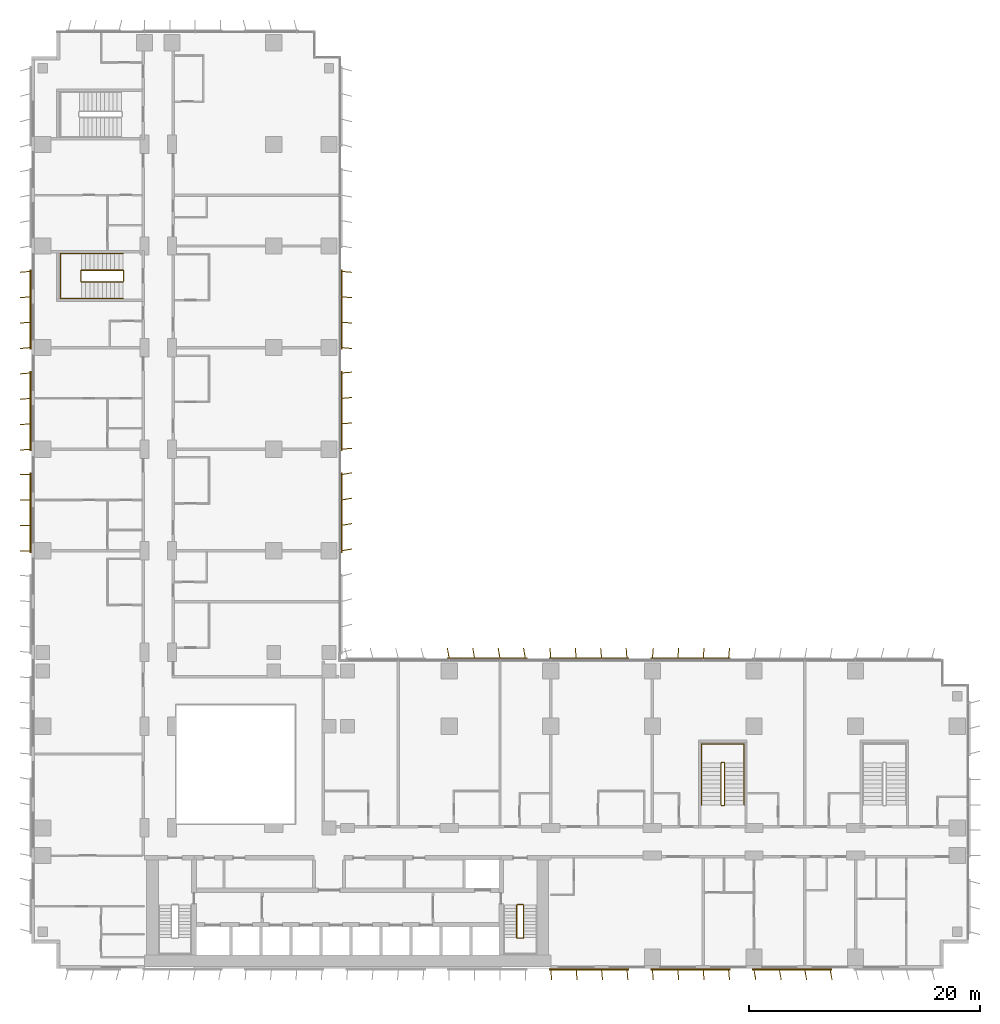
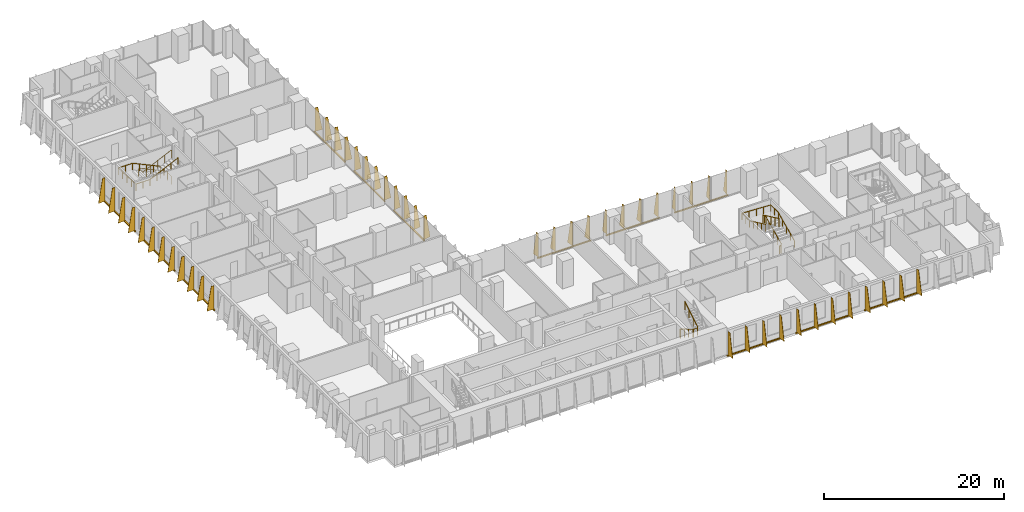
# One storey, part 22 of 24: 12 shading devices, 5 railings.
"""IFC4 building model written with IfcOpenShell, lengths in metres."""

from ifc_helpers import new_model, si_unit, direction, frame, origin, origin_2d, place, context, subcontext, project, spatial, polyline, rectangle, circle, outline, extrude, source, transform, mapped, material, layer, layer_set, type_object, element, save


model = new_model("IFC4")

# Units and contexts
model_context = context("Model", 3, precision=1e-05, world=origin(), true_north=direction((0.0, 1.0)))
body_context = subcontext(model_context, "Body", "Model", "MODEL_VIEW")
ifc_project = project(units=[si_unit("LENGTHUNIT", "METRE"), si_unit("AREAUNIT", "SQUARE_METRE"), si_unit("VOLUMEUNIT", "CUBIC_METRE"), si_unit("PLANEANGLEUNIT", "RADIAN"), si_unit("MASSUNIT", "GRAM", prefix="KILO")], contexts=[model_context])

# Site, building, storey
site_placement = place(None, origin())
site = spatial("IfcSite", under=ifc_project, at=site_placement, CompositionType="ELEMENT")
building_placement = place(site_placement, origin())
building = spatial("IfcBuilding", under=site, at=building_placement, Name="Kemantara Hotel Tower", CompositionType="ELEMENT")
storey_placement = place(building_placement, frame((0.0, 0.0, 76.0)))
storey = spatial("IfcBuildingStorey", under=building, at=storey_placement, Name="L17", CompositionType="ELEMENT", Elevation=76.0)

# Railings
ifc_material_1 = material(Name="Stainless steel balustrade", Category="steel")
railing_type_1 = type_object("IfcRailingType", Name="Stair guard 1100 mm", PredefinedType="GUARDRAIL", material=ifc_material_1)
railing_1_placement = place(storey_placement, frame((42.64990234375, 5.5, 3.699951171875)))
element("IfcRailing", 1, at=railing_1_placement, inside=storey, type_object=railing_type_1, Name="L17 ST2 stair guard 1", PredefinedType="GUARDRAIL", context=body_context, shape_type="SweptSolid", body=[
    extrude(circle(Radius=0.02392578125, at=origin_2d()), frame((0.0, 0.0, 1.076171875), z_axis=(0.0, -0.857242210791, -0.514913383045), x_axis=(1.0, 0.0, 0.0)), (0.0, 0.0, 1.0), 3.266357421875),
    extrude(circle(Radius=0.02392578125, at=origin_2d()), frame((0.0, -2.800048828125, -0.60595703125), z_axis=(-0.273343290215, -0.274683208305, -0.921863645432), x_axis=(0.708833529934, -0.705375805398, 0.0)), (0.0, 0.0, 1.0), 0.18212890625),
    extrude(circle(Radius=0.02392578125, at=origin_2d()), frame((-0.0498046875, -2.85009765625, -0.77392578125), z_axis=(-1.0, 0.0, 0.0), x_axis=(0.0, -1.0, 0.0)), (0.0, 0.0, 1.0), 0.5),
    extrude(circle(Radius=0.02392578125, at=origin_2d()), frame((-0.5498046875, -2.85009765625, -0.77392578125), z_axis=(-0.707106781187, 0.707106781187, 0.0), x_axis=(-0.707106781187, -0.707106781187, 0.0)), (0.0, 0.0, 1.0), 0.07080078125),
    extrude(circle(Radius=0.02392578125, at=origin_2d()), frame((-0.599853515625, -2.800048828125, -0.77392578125), z_axis=(0.0, 0.857242210791, -0.514913383045), x_axis=(-1.0, 0.0, 0.0)), (0.0, 0.0, 1.0), 3.266357421875),
    extrude(circle(Radius=0.02392578125, at=origin_2d()), frame((-0.599853515625, 0.0, -2.45556640625), z_axis=(0.274243871929, 0.274243871929, -0.92172696468), x_axis=(-0.707106781187, 0.707106781187, 0.0)), (0.0, 0.0, 1.0), 0.1826171875),
    extrude(circle(Radius=0.02392578125, at=origin_2d()), frame((-0.5498046875, 0.050048828125, -2.6240234375), z_axis=(1.0, 0.0, 0.0), x_axis=(0.0, 1.0, 0.0)), (0.0, 0.0, 1.0), 0.5),
    extrude(circle(Radius=0.02099609375, at=origin_2d()), origin(), (0.0, 0.0, 1.0), 1.052001953125),
    extrude(circle(Radius=0.02099609375, at=origin_2d()), frame((0.0, -0.933349609375, -0.560546875)), (0.0, 0.0, 1.0), 1.052001953125),
    extrude(circle(Radius=0.02099609375, at=origin_2d()), frame((0.0, -1.86669921875, -1.121337890625)), (0.0, 0.0, 1.0), 1.052001953125),
    extrude(circle(Radius=0.02099609375, at=origin_2d()), frame((0.0, -2.800048828125, -1.681884765625)), (0.0, 0.0, 1.0), 1.052001953125),
    extrude(circle(Radius=0.02099609375, at=origin_2d()), frame((-0.0498046875, -2.85009765625, -1.849853515625)), (0.0, 0.0, 1.0), 1.052001953125),
    extrude(circle(Radius=0.02099609375, at=origin_2d()), frame((-0.5498046875, -2.85009765625, -1.849853515625)), (0.0, 0.0, 1.0), 1.052001953125),
    extrude(circle(Radius=0.02099609375, at=origin_2d()), frame((-0.599853515625, -2.800048828125, -1.849853515625)), (0.0, 0.0, 1.0), 1.052001953125),
    extrude(circle(Radius=0.02099609375, at=origin_2d()), frame((-0.599853515625, -1.86669921875, -2.410400390625)), (0.0, 0.0, 1.0), 1.052001953125),
    extrude(circle(Radius=0.02099609375, at=origin_2d()), frame((-0.599853515625, -0.933349609375, -2.97119140625)), (0.0, 0.0, 1.0), 1.052001953125),
    extrude(circle(Radius=0.02099609375, at=origin_2d()), frame((-0.599853515625, 0.0, -3.53173828125)), (0.0, 0.0, 1.0), 1.052001953125),
    extrude(circle(Radius=0.02099609375, at=origin_2d()), frame((-0.5498046875, 0.050048828125, -3.699951171875)), (0.0, 0.0, 1.0), 1.052001953125),
    extrude(circle(Radius=0.02099609375, at=origin_2d()), frame((-0.0498046875, 0.050048828125, -3.699951171875)), (0.0, 0.0, 1.0), 1.052001953125),
])
railing_2_placement = place(storey_placement, frame((59.75, 14.199951171875, 3.699951171875)))
element("IfcRailing", 2, at=railing_2_placement, inside=storey, type_object=railing_type_1, Name="L17 ST3 stair guard 1", PredefinedType="GUARDRAIL", context=body_context, shape_type="SweptSolid", body=[
    extrude(circle(Radius=0.02392578125, at=origin_2d()), frame((0.0, 0.0, 1.076171875), z_axis=(0.0, 0.906005689286, -0.423265508849), x_axis=(-1.0, 0.0, 0.0)), (0.0, 0.0, 1.0), 3.9736328125),
    extrude(circle(Radius=0.02392578125, at=origin_2d()), frame((0.0, 3.60009765625, -0.60595703125), z_axis=(0.274582412415, 0.274582412415, -0.921525364591), x_axis=(-0.707106781187, 0.707106781187, 0.0)), (0.0, 0.0, 1.0), 0.182373046875),
    extrude(circle(Radius=0.02392578125, at=origin_2d()), frame((0.050048828125, 3.650146484375, -0.77392578125), z_axis=(1.0, 0.0, 0.0), x_axis=(0.0, 1.0, 0.0)), (0.0, 0.0, 1.0), 0.199951171875),
    extrude(circle(Radius=0.02392578125, at=origin_2d()), frame((0.25, 3.650146484375, -0.77392578125), z_axis=(0.707106781187, -0.707106781187, 0.0), x_axis=(0.707106781187, 0.707106781187, 0.0)), (0.0, 0.0, 1.0), 0.07080078125),
    extrude(circle(Radius=0.02392578125, at=origin_2d()), frame((0.300048828125, 3.60009765625, -0.77392578125), z_axis=(0.0, -0.906005689286, -0.423265508849), x_axis=(1.0, 0.0, 0.0)), (0.0, 0.0, 1.0), 3.9736328125),
    extrude(circle(Radius=0.02392578125, at=origin_2d()), frame((0.300048828125, 0.0, -2.45556640625), z_axis=(-0.274243871929, -0.274243871929, -0.92172696468), x_axis=(0.707106781187, -0.707106781187, 0.0)), (0.0, 0.0, 1.0), 0.1826171875),
    extrude(circle(Radius=0.02392578125, at=origin_2d()), frame((0.25, -0.050048828125, -2.6240234375), z_axis=(-1.0, 0.0, 0.0), x_axis=(0.0, -1.0, 0.0)), (0.0, 0.0, 1.0), 0.199951171875),
    extrude(circle(Radius=0.02099609375, at=origin_2d()), origin(), (0.0, 0.0, 1.0), 1.052001953125),
    extrude(circle(Radius=0.02099609375, at=origin_2d()), frame((0.0, 0.89990234375, -0.42041015625)), (0.0, 0.0, 1.0), 1.052001953125),
    extrude(circle(Radius=0.02099609375, at=origin_2d()), frame((0.0, 1.800048828125, -0.8408203125)), (0.0, 0.0, 1.0), 1.052001953125),
    extrude(circle(Radius=0.02099609375, at=origin_2d()), frame((0.0, 2.7001953125, -1.261474609375)), (0.0, 0.0, 1.0), 1.052001953125),
    extrude(circle(Radius=0.02099609375, at=origin_2d()), frame((0.0, 3.60009765625, -1.681884765625)), (0.0, 0.0, 1.0), 1.052001953125),
    extrude(circle(Radius=0.02099609375, at=origin_2d()), frame((0.050048828125, 3.650146484375, -1.849853515625)), (0.0, 0.0, 1.0), 1.052001953125),
    extrude(circle(Radius=0.02099609375, at=origin_2d()), frame((0.25, 3.650146484375, -1.849853515625)), (0.0, 0.0, 1.0), 1.052001953125),
    extrude(circle(Radius=0.02099609375, at=origin_2d()), frame((0.300048828125, 3.60009765625, -1.849853515625)), (0.0, 0.0, 1.0), 1.052001953125),
    extrude(circle(Radius=0.02099609375, at=origin_2d()), frame((0.300048828125, 2.7001953125, -2.270263671875)), (0.0, 0.0, 1.0), 1.052001953125),
    extrude(circle(Radius=0.02099609375, at=origin_2d()), frame((0.300048828125, 1.800048828125, -2.69091796875)), (0.0, 0.0, 1.0), 1.052001953125),
    extrude(circle(Radius=0.02099609375, at=origin_2d()), frame((0.300048828125, 0.89990234375, -3.111328125)), (0.0, 0.0, 1.0), 1.052001953125),
    extrude(circle(Radius=0.02099609375, at=origin_2d()), frame((0.300048828125, 0.0, -3.53173828125)), (0.0, 0.0, 1.0), 1.052001953125),
    extrude(circle(Radius=0.02099609375, at=origin_2d()), frame((0.25, -0.050048828125, -3.699951171875)), (0.0, 0.0, 1.0), 1.052001953125),
    extrude(circle(Radius=0.02099609375, at=origin_2d()), frame((0.050048828125, -0.050048828125, -3.699951171875)), (0.0, 0.0, 1.0), 1.052001953125),
])
railing_3_placement = place(storey_placement, frame((7.949951171875, 59.5, 3.699951171875)))
element("IfcRailing", 3, at=railing_3_placement, inside=storey, type_object=railing_type_1, Name="L17 ST4 stair guard 1", PredefinedType="GUARDRAIL", context=body_context, shape_type="SweptSolid", body=[
    extrude(circle(Radius=0.02392578125, at=origin_2d()), frame((0.0, 0.0, 1.076171875), z_axis=(-0.905994681025, 0.0, -0.423289071386), x_axis=(0.0, -1.0, 0.0)), (0.0, 0.0, 1.0), 3.973388671875),
    extrude(circle(Radius=0.02392578125, at=origin_2d()), frame((-3.599853515625, 0.0, -0.60595703125), z_axis=(-0.274582412415, 0.274582412415, -0.921525364591), x_axis=(-0.707106781187, -0.707106781187, 0.0)), (0.0, 0.0, 1.0), 0.182373046875),
    extrude(circle(Radius=0.02392578125, at=origin_2d()), frame((-3.64990234375, 0.050048828125, -0.77392578125), z_axis=(0.0, 1.0, 0.0), x_axis=(-1.0, 0.0, 0.0)), (0.0, 0.0, 1.0), 0.89990234375),
    extrude(circle(Radius=0.02392578125, at=origin_2d()), frame((-3.64990234375, 0.949951171875, -0.77392578125), z_axis=(0.707106781187, 0.707106781187, 0.0), x_axis=(-0.707106781187, 0.707106781187, 0.0)), (0.0, 0.0, 1.0), 0.07080078125),
    extrude(circle(Radius=0.02392578125, at=origin_2d()), frame((-3.599853515625, 1.0, -0.77392578125), z_axis=(0.905994681025, 0.0, -0.423289071386), x_axis=(0.0, 1.0, 0.0)), (0.0, 0.0, 1.0), 3.973388671875),
    extrude(circle(Radius=0.02392578125, at=origin_2d()), frame((0.0, 1.0, -2.45556640625), z_axis=(0.274243871929, -0.274243871929, -0.92172696468), x_axis=(0.707106781187, 0.707106781187, 0.0)), (0.0, 0.0, 1.0), 0.1826171875),
    extrude(circle(Radius=0.02392578125, at=origin_2d()), frame((0.050048828125, 0.949951171875, -2.6240234375), z_axis=(0.0, -1.0, 0.0), x_axis=(1.0, 0.0, 0.0)), (0.0, 0.0, 1.0), 0.89990234375),
    extrude(circle(Radius=0.02099609375, at=origin_2d()), origin(), (0.0, 0.0, 1.0), 1.052001953125),
    extrude(circle(Radius=0.02099609375, at=origin_2d()), frame((-0.89990234375, 0.0, -0.42041015625)), (0.0, 0.0, 1.0), 1.052001953125),
    extrude(circle(Radius=0.02099609375, at=origin_2d()), frame((-1.7998046875, 0.0, -0.8408203125)), (0.0, 0.0, 1.0), 1.052001953125),
    extrude(circle(Radius=0.02099609375, at=origin_2d()), frame((-2.699951171875, 0.0, -1.261474609375)), (0.0, 0.0, 1.0), 1.052001953125),
    extrude(circle(Radius=0.02099609375, at=origin_2d()), frame((-3.599853515625, 0.0, -1.681884765625)), (0.0, 0.0, 1.0), 1.052001953125),
    extrude(circle(Radius=0.02099609375, at=origin_2d()), frame((-3.64990234375, 0.050048828125, -1.849853515625)), (0.0, 0.0, 1.0), 1.052001953125),
    extrude(circle(Radius=0.02099609375, at=origin_2d()), frame((-3.64990234375, 0.949951171875, -1.849853515625)), (0.0, 0.0, 1.0), 1.052001953125),
    extrude(circle(Radius=0.02099609375, at=origin_2d()), frame((-3.599853515625, 1.0, -1.849853515625)), (0.0, 0.0, 1.0), 1.052001953125),
    extrude(circle(Radius=0.02099609375, at=origin_2d()), frame((-2.699951171875, 1.0, -2.270263671875)), (0.0, 0.0, 1.0), 1.052001953125),
    extrude(circle(Radius=0.02099609375, at=origin_2d()), frame((-1.7998046875, 1.0, -2.69091796875)), (0.0, 0.0, 1.0), 1.052001953125),
    extrude(circle(Radius=0.02099609375, at=origin_2d()), frame((-0.89990234375, 1.0, -3.111328125)), (0.0, 0.0, 1.0), 1.052001953125),
    extrude(circle(Radius=0.02099609375, at=origin_2d()), frame((0.0, 1.0, -3.53173828125)), (0.0, 0.0, 1.0), 1.052001953125),
    extrude(circle(Radius=0.02099609375, at=origin_2d()), frame((0.050048828125, 0.949951171875, -3.699951171875)), (0.0, 0.0, 1.0), 1.052001953125),
    extrude(circle(Radius=0.02099609375, at=origin_2d()), frame((0.050048828125, 0.050048828125, -3.699951171875)), (0.0, 0.0, 1.0), 1.052001953125),
])
railing_type_2 = type_object("IfcRailingType", Name="Stair handrail 900 mm", PredefinedType="HANDRAIL", material=ifc_material_1)
railing_4_placement = place(storey_placement, frame((61.75, 14.199951171875, 0.168212890625)))
element("IfcRailing", 4, at=railing_4_placement, inside=storey, type_object=railing_type_2, Name="L17 ST3 stair handrail 1", PredefinedType="HANDRAIL", context=body_context, shape_type="SweptSolid", body=[
    extrude(circle(Radius=0.02392578125, at=origin_2d()), frame((0.0, 0.0, 0.8759765625), z_axis=(0.0, 0.906005689286, 0.423265508849), x_axis=(-1.0, 0.0, 0.0)), (0.0, 0.0, 1.0), 3.9736328125),
    extrude(circle(Radius=0.02392578125, at=origin_2d()), frame((0.0, 3.60009765625, 2.5576171875), z_axis=(0.0, 1.0, 0.0), x_axis=(-1.0, 0.0, 0.0)), (0.0, 0.0, 1.0), 1.679931640625),
    extrude(circle(Radius=0.02392578125, at=origin_2d()), frame((0.0, 5.280029296875, 2.5576171875), z_axis=(-0.998971120908, 0.0, 0.045350849963), x_axis=(0.0, -1.0, 0.0)), (0.0, 0.0, 1.0), 3.703857421875),
    extrude(circle(Radius=0.02392578125, at=origin_2d()), frame((-3.699951171875, 5.280029296875, 2.7255859375), z_axis=(0.0, -1.0, 0.0), x_axis=(1.0, 0.0, 0.0)), (0.0, 0.0, 1.0), 1.679931640625),
    extrude(circle(Radius=0.02392578125, at=origin_2d()), frame((-3.699951171875, 3.60009765625, 2.7255859375), z_axis=(0.0, -0.906005689286, 0.423265508849), x_axis=(1.0, 0.0, 0.0)), (0.0, 0.0, 1.0), 3.9736328125),
    extrude(circle(Radius=0.02099609375, at=origin_2d()), origin(), (0.0, 0.0, 1.0), 0.851806640625),
    extrude(circle(Radius=0.02099609375, at=origin_2d()), frame((0.0, 0.89990234375, 0.42041015625)), (0.0, 0.0, 1.0), 0.851806640625),
    extrude(circle(Radius=0.02099609375, at=origin_2d()), frame((0.0, 1.800048828125, 0.8408203125)), (0.0, 0.0, 1.0), 0.851806640625),
    extrude(circle(Radius=0.02099609375, at=origin_2d()), frame((0.0, 2.7001953125, 1.261474609375)), (0.0, 0.0, 1.0), 0.851806640625),
    extrude(circle(Radius=0.02099609375, at=origin_2d()), frame((0.0, 3.60009765625, 1.681884765625)), (0.0, 0.0, 1.0), 0.851806640625),
    extrude(circle(Radius=0.02099609375, at=origin_2d()), frame((0.0, 4.43994140625, 1.681884765625)), (0.0, 0.0, 1.0), 0.851806640625),
    extrude(circle(Radius=0.02099609375, at=origin_2d()), frame((0.0, 5.280029296875, 1.681884765625)), (0.0, 0.0, 1.0), 0.851806640625),
    extrude(circle(Radius=0.02099609375, at=origin_2d()), frame((-0.925048828125, 5.280029296875, 1.723876953125)), (0.0, 0.0, 1.0), 0.851806640625),
    extrude(circle(Radius=0.02099609375, at=origin_2d()), frame((-1.85009765625, 5.280029296875, 1.765869140625)), (0.0, 0.0, 1.0), 0.851806640625),
    extrude(circle(Radius=0.02099609375, at=origin_2d()), frame((-2.77490234375, 5.280029296875, 1.807861328125)), (0.0, 0.0, 1.0), 0.851806640625),
    extrude(circle(Radius=0.02099609375, at=origin_2d()), frame((-3.699951171875, 5.280029296875, 1.849853515625)), (0.0, 0.0, 1.0), 0.851806640625),
    extrude(circle(Radius=0.02099609375, at=origin_2d()), frame((-3.699951171875, 4.43994140625, 1.849853515625)), (0.0, 0.0, 1.0), 0.851806640625),
    extrude(circle(Radius=0.02099609375, at=origin_2d()), frame((-3.699951171875, 3.60009765625, 1.849853515625)), (0.0, 0.0, 1.0), 0.851806640625),
    extrude(circle(Radius=0.02099609375, at=origin_2d()), frame((-3.699951171875, 2.7001953125, 2.270263671875)), (0.0, 0.0, 1.0), 0.851806640625),
    extrude(circle(Radius=0.02099609375, at=origin_2d()), frame((-3.699951171875, 1.800048828125, 2.69091796875)), (0.0, 0.0, 1.0), 0.851806640625),
    extrude(circle(Radius=0.02099609375, at=origin_2d()), frame((-3.699951171875, 0.89990234375, 3.111328125)), (0.0, 0.0, 1.0), 0.851806640625),
    extrude(circle(Radius=0.02099609375, at=origin_2d()), frame((-3.699951171875, 0.0, 3.53173828125)), (0.0, 0.0, 1.0), 0.851806640625),
])
railing_5_placement = place(storey_placement, frame((7.949951171875, 61.949951171875, 0.168212890625)))
element("IfcRailing", 5, at=railing_5_placement, inside=storey, type_object=railing_type_2, Name="L17 ST4 stair handrail 1", PredefinedType="HANDRAIL", context=body_context, shape_type="SweptSolid", body=[
    extrude(circle(Radius=0.02392578125, at=origin_2d()), frame((0.0, 0.0, 0.8759765625), z_axis=(-0.905994681025, 0.0, 0.423289071386), x_axis=(0.0, -1.0, 0.0)), (0.0, 0.0, 1.0), 3.973388671875),
    extrude(circle(Radius=0.02392578125, at=origin_2d()), frame((-3.599853515625, 0.0, 2.5576171875), z_axis=(-1.0, 0.0, 0.0), x_axis=(0.0, -1.0, 0.0)), (0.0, 0.0, 1.0), 1.830078125),
    extrude(circle(Radius=0.02392578125, at=origin_2d()), frame((-5.429931640625, 0.0, 2.5576171875), z_axis=(0.0, -0.999073776461, 0.043030096294), x_axis=(1.0, 0.0, 0.0)), (0.0, 0.0, 1.0), 3.903564453125),
    extrude(circle(Radius=0.02392578125, at=origin_2d()), frame((-5.429931640625, -3.89990234375, 2.7255859375), z_axis=(1.0, 0.0, 0.0), x_axis=(0.0, 1.0, 0.0)), (0.0, 0.0, 1.0), 1.830078125),
    extrude(circle(Radius=0.02392578125, at=origin_2d()), frame((-3.599853515625, -3.89990234375, 2.7255859375), z_axis=(0.905994681025, 0.0, 0.423289071386), x_axis=(0.0, 1.0, 0.0)), (0.0, 0.0, 1.0), 3.973388671875),
    extrude(circle(Radius=0.02099609375, at=origin_2d()), origin(), (0.0, 0.0, 1.0), 0.851806640625),
    extrude(circle(Radius=0.02099609375, at=origin_2d()), frame((-0.89990234375, 0.0, 0.42041015625)), (0.0, 0.0, 1.0), 0.851806640625),
    extrude(circle(Radius=0.02099609375, at=origin_2d()), frame((-1.7998046875, 0.0, 0.8408203125)), (0.0, 0.0, 1.0), 0.851806640625),
    extrude(circle(Radius=0.02099609375, at=origin_2d()), frame((-2.699951171875, 0.0, 1.261474609375)), (0.0, 0.0, 1.0), 0.851806640625),
    extrude(circle(Radius=0.02099609375, at=origin_2d()), frame((-3.599853515625, 0.0, 1.681884765625)), (0.0, 0.0, 1.0), 0.851806640625),
    extrude(circle(Radius=0.02099609375, at=origin_2d()), frame((-4.514892578125, 0.0, 1.681884765625)), (0.0, 0.0, 1.0), 0.851806640625),
    extrude(circle(Radius=0.02099609375, at=origin_2d()), frame((-5.429931640625, 0.0, 1.681884765625)), (0.0, 0.0, 1.0), 0.851806640625),
    extrude(circle(Radius=0.02099609375, at=origin_2d()), frame((-5.429931640625, -0.97509765625, 1.723876953125)), (0.0, 0.0, 1.0), 0.851806640625),
    extrude(circle(Radius=0.02099609375, at=origin_2d()), frame((-5.429931640625, -1.949951171875, 1.765869140625)), (0.0, 0.0, 1.0), 0.851806640625),
    extrude(circle(Radius=0.02099609375, at=origin_2d()), frame((-5.429931640625, -2.9248046875, 1.807861328125)), (0.0, 0.0, 1.0), 0.851806640625),
    extrude(circle(Radius=0.02099609375, at=origin_2d()), frame((-5.429931640625, -3.89990234375, 1.849853515625)), (0.0, 0.0, 1.0), 0.851806640625),
    extrude(circle(Radius=0.02099609375, at=origin_2d()), frame((-4.514892578125, -3.89990234375, 1.849853515625)), (0.0, 0.0, 1.0), 0.851806640625),
    extrude(circle(Radius=0.02099609375, at=origin_2d()), frame((-3.599853515625, -3.89990234375, 1.849853515625)), (0.0, 0.0, 1.0), 0.851806640625),
    extrude(circle(Radius=0.02099609375, at=origin_2d()), frame((-2.699951171875, -3.89990234375, 2.270263671875)), (0.0, 0.0, 1.0), 0.851806640625),
    extrude(circle(Radius=0.02099609375, at=origin_2d()), frame((-1.7998046875, -3.89990234375, 2.69091796875)), (0.0, 0.0, 1.0), 0.851806640625),
    extrude(circle(Radius=0.02099609375, at=origin_2d()), frame((-0.89990234375, -3.89990234375, 3.111328125)), (0.0, 0.0, 1.0), 0.851806640625),
    extrude(circle(Radius=0.02099609375, at=origin_2d()), frame((0.0, -3.89990234375, 3.53173828125)), (0.0, 0.0, 1.0), 0.851806640625),
])

# Shading devices
ifc_material_2 = material(Name="Perforated aluminium plate 4 mm bronze anodised", Category="aluminium")
ifc_layer_1 = layer(ifc_material_2, 0.0400390625)
ifc_layer_set_1 = layer_set([ifc_layer_1], Name="Perforated aluminium plate 4 mm bronze anodised")
shading_device_type_1 = type_object("IfcShadingDeviceType", Name="SCREEN FIN CASSETTE, 4 BLADES AT -5.0 DEG, 3200 HIGH", PredefinedType="USERDEFINED", material=ifc_layer_set_1)
shared_shape_1 = source(origin(), body_context, "Body", "SweptSolid", [
    extrude(rectangle(XDim=6.89990234375, YDim=0.14990234375, at=origin_2d()), frame((3.300048828125, -0.074951171875, -0.14990234375), z_axis=(0.0, 0.0, 1.0), x_axis=(1.0, 0.0, 0.0)), (0.0, 0.0, 1.0), 0.14990234375),
    extrude(outline(polyline([(0.0, 0.0), (0.89990234375, 0.0), (0.35009765625, 3.199951171875), (0.0, 3.199951171875), (0.0, 0.0)])), frame((0.02001953125, -0.07666015625, 0.0), z_axis=(-0.996376129781, 0.085056498884, 0.0), x_axis=(-0.085056498884, -0.996376129781, 0.0)), (0.0, 0.0, 1.0), 0.040283203125),
    extrude(outline(polyline([(0.0, 0.0), (0.89990234375, 0.0), (0.35009765625, 3.199951171875), (0.0, 3.199951171875), (0.0, 0.0)])), frame((2.219970703125, -0.07666015625, 0.0), z_axis=(-0.996331773833, 0.085574508182, 0.0), x_axis=(-0.085574508182, -0.996331773833, 0.0)), (0.0, 0.0, 1.0), 0.0400390625),
    extrude(outline(polyline([(0.0, 0.0), (0.89990234375, 0.0), (0.35009765625, 3.199951171875), (0.0, 3.199951171875), (0.0, 0.0)])), frame((4.419921875, -0.07666015625, 0.0), z_axis=(-0.996331773833, 0.085574508182, 0.0), x_axis=(-0.085574508182, -0.996331773833, 0.0)), (0.0, 0.0, 1.0), 0.0400390625),
    extrude(outline(polyline([(0.0, 0.0), (0.89990234375, 0.0), (0.35009765625, 3.199951171875), (0.0, 3.199951171875), (0.0, 0.0)])), frame((6.619873046875, -0.07666015625, 0.0), z_axis=(-0.996331773833, 0.085574508182, 0.0), x_axis=(-0.085574508182, -0.996331773833, 0.0)), (0.0, 0.0, 1.0), 0.0400390625),
])
for number, where, z_axis, x_axis, name in (
    (6, (60.39990234375, 26.800048828125, 0.10009765625), (0.0, 0.0, 1.0), (-1.0, 0.0, 0.0), "SCREEN FIN CASSETTE L17 T1-R07-3"),
    (7, (26.800048828125, 53.800048828125, 0.10009765625), (0.0, 0.0, 1.0), (0.0, 1.0, 0.0), "SCREEN FIN CASSETTE L17 T1-R08-4"),
):
    element("IfcShadingDevice", number, at=place(storey_placement, frame(where, z_axis=z_axis, x_axis=x_axis)), inside=storey, type_object=shading_device_type_1, Name=name, ObjectType="SCREEN FIN", PredefinedType="USERDEFINED", context=body_context, shape_type="MappedRepresentation", body=[
        mapped(shared_shape_1, transform((0.0, 0.0, 0.0))),
    ])
ifc_layer_2 = layer(ifc_material_2, 0.0400390625)
ifc_layer_set_2 = layer_set([ifc_layer_2], Name="Perforated aluminium plate 4 mm bronze anodised")
shading_device_type_2 = type_object("IfcShadingDeviceType", Name="SCREEN FIN CASSETTE, 4 BLADES AT +0.0 DEG, 3200 HIGH", PredefinedType="USERDEFINED", material=ifc_layer_set_2)
shared_shape_2 = source(origin(), body_context, "Body", "SweptSolid", [
    extrude(rectangle(XDim=6.89990234375, YDim=0.14990234375, at=origin_2d()), frame((3.300048828125, -0.074951171875, -0.14990234375), z_axis=(0.0, 0.0, 1.0), x_axis=(1.0, 0.0, 0.0)), (0.0, 0.0, 1.0), 0.14990234375),
    extrude(outline(polyline([(0.0, 0.0), (0.89990234375, 0.0), (0.35009765625, 3.199951171875), (0.0, 3.199951171875), (0.0, 0.0)])), frame((0.02001953125, -0.074951171875, 0.0), z_axis=(-1.0, 0.0, 0.0), x_axis=(0.0, -1.0, 0.0)), (0.0, 0.0, 1.0), 0.0400390625),
    extrude(outline(polyline([(0.0, 0.0), (0.89990234375, 0.0), (0.35009765625, 3.199951171875), (0.0, 3.199951171875), (0.0, 0.0)])), frame((2.219970703125, -0.074951171875, 0.0), z_axis=(-1.0, 0.0, 0.0), x_axis=(0.0, -1.0, 0.0)), (0.0, 0.0, 1.0), 0.0400390625),
    extrude(outline(polyline([(0.0, 0.0), (0.89990234375, 0.0), (0.35009765625, 3.199951171875), (0.0, 3.199951171875), (0.0, 0.0)])), frame((4.419921875, -0.074951171875, 0.0), z_axis=(-1.0, 0.0, 0.0), x_axis=(0.0, -1.0, 0.0)), (0.0, 0.0, 1.0), 0.0400390625),
    extrude(outline(polyline([(0.0, 0.0), (0.89990234375, 0.0), (0.35009765625, 3.199951171875), (0.0, 3.199951171875), (0.0, 0.0)])), frame((6.6201171875, -0.074951171875, 0.0), z_axis=(-1.0, 0.0, 0.0), x_axis=(0.0, -1.0, 0.0)), (0.0, 0.0, 1.0), 0.0400390625),
])
shading_device_placement = place(storey_placement, frame((0.0, 42.800048828125, 0.10009765625), z_axis=(0.0, 0.0, 1.0), x_axis=(0.0, -1.0, 0.0)))
element("IfcShadingDevice", 8, at=shading_device_placement, inside=storey, type_object=shading_device_type_2, Name="SCREEN FIN CASSETTE L17 T1-R14-5", ObjectType="SCREEN FIN", PredefinedType="USERDEFINED", context=body_context, shape_type="MappedRepresentation", body=[
    mapped(shared_shape_2, transform((0.0, 0.0, 0.0))),
])
ifc_layer_3 = layer(ifc_material_2, 0.0400390625)
ifc_layer_set_3 = layer_set([ifc_layer_3], Name="Perforated aluminium plate 4 mm bronze anodised")
shading_device_type_3 = type_object("IfcShadingDeviceType", Name="SCREEN FIN CASSETTE, 4 BLADES AT +5.0 DEG, 3200 HIGH", PredefinedType="USERDEFINED", material=ifc_layer_set_3)
shared_shape_3 = source(origin(), body_context, "Body", "SweptSolid", [
    extrude(rectangle(XDim=6.89990234375, YDim=0.14990234375, at=origin_2d()), frame((3.300048828125, -0.074951171875, -0.14990234375), z_axis=(0.0, 0.0, 1.0), x_axis=(1.0, 0.0, 0.0)), (0.0, 0.0, 1.0), 0.14990234375),
    extrude(outline(polyline([(0.0, 0.0), (0.89990234375, 0.0), (0.35009765625, 3.199951171875), (0.0, 3.199951171875), (0.0, 0.0)])), frame((0.02001953125, -0.0732421875, 0.0), z_axis=(-0.996376129781, -0.085056498884, 0.0), x_axis=(0.085056498884, -0.996376129781, 0.0)), (0.0, 0.0, 1.0), 0.040283203125),
    extrude(outline(polyline([(0.0, 0.0), (0.89990234375, 0.0), (0.35009765625, 3.199951171875), (0.0, 3.199951171875), (0.0, 0.0)])), frame((2.219970703125, -0.0732421875, 0.0), z_axis=(-0.996331773833, -0.085574508182, 0.0), x_axis=(0.085574508182, -0.996331773833, 0.0)), (0.0, 0.0, 1.0), 0.0400390625),
    extrude(outline(polyline([(0.0, 0.0), (0.89990234375, 0.0), (0.35009765625, 3.199951171875), (0.0, 3.199951171875), (0.0, 0.0)])), frame((4.419921875, -0.0732421875, 0.0), z_axis=(-0.996331773833, -0.085574508182, 0.0), x_axis=(0.085574508182, -0.996331773833, 0.0)), (0.0, 0.0, 1.0), 0.0400390625),
    extrude(outline(polyline([(0.0, 0.0), (0.89990234375, 0.0), (0.35009765625, 3.199951171875), (0.0, 3.199951171875), (0.0, 0.0)])), frame((6.619873046875, -0.0732421875, 0.0), z_axis=(-0.996331773833, -0.085574508182, 0.0), x_axis=(0.085574508182, -0.996331773833, 0.0)), (0.0, 0.0, 1.0), 0.0400390625),
])
for number, where, z_axis, x_axis, name in (
    (9, (45.0, 0.0, 0.10009765625), (0.0, 0.0, 1.0), (1.0, 0.0, 0.0), "SCREEN FIN CASSETTE L17 T1-R01-6"),
    (10, (53.800048828125, 0.0, 0.10009765625), (0.0, 0.0, 1.0), (1.0, 0.0, 0.0), "SCREEN FIN CASSETTE L17 T1-R01-7"),
    (11, (51.60009765625, 26.800048828125, 0.10009765625), (0.0, 0.0, 1.0), (-1.0, 0.0, 0.0), "SCREEN FIN CASSETTE L17 T1-R07-4"),
    (12, (26.800048828125, 45.0, 0.10009765625), (0.0, 0.0, 1.0), (0.0, 1.0, 0.0), "SCREEN FIN CASSETTE L17 T1-R08-3"),
    (13, (0.0, 60.39990234375, 0.10009765625), (0.0, 0.0, 1.0), (0.0, -1.0, 0.0), "SCREEN FIN CASSETTE L17 T1-R14-3"),
    (14, (0.0, 51.60009765625, 0.10009765625), (0.0, 0.0, 1.0), (0.0, -1.0, 0.0), "SCREEN FIN CASSETTE L17 T1-R14-4"),
):
    element("IfcShadingDevice", number, at=place(storey_placement, frame(where, z_axis=z_axis, x_axis=x_axis)), inside=storey, type_object=shading_device_type_3, Name=name, ObjectType="SCREEN FIN", PredefinedType="USERDEFINED", context=body_context, shape_type="MappedRepresentation", body=[
        mapped(shared_shape_3, transform((0.0, 0.0, 0.0))),
    ])
ifc_layer_4 = layer(ifc_material_2, 0.0400390625)
ifc_layer_set_4 = layer_set([ifc_layer_4], Name="Perforated aluminium plate 4 mm bronze anodised")
shading_device_type_4 = type_object("IfcShadingDeviceType", Name="SCREEN FIN CASSETTE, 4 BLADES AT +10.0 DEG, 3200 HIGH", PredefinedType="USERDEFINED", material=ifc_layer_set_4)
shared_shape_4 = source(origin(), body_context, "Body", "SweptSolid", [
    extrude(rectangle(XDim=6.89990234375, YDim=0.14990234375, at=origin_2d()), frame((3.300048828125, -0.074951171875, -0.14990234375), z_axis=(0.0, 0.0, 1.0), x_axis=(1.0, 0.0, 0.0)), (0.0, 0.0, 1.0), 0.14990234375),
    extrude(outline(polyline([(0.0, 0.0), (0.89990234375, 0.0), (0.35009765625, 3.199951171875), (0.0, 3.199951171875), (0.0, 0.0)])), frame((0.019775390625, -0.071533203125, 0.0), z_axis=(-0.985389793052, -0.170314285219, 0.0), x_axis=(0.170314285219, -0.985389793052, 0.0)), (0.0, 0.0, 1.0), 0.0400390625),
    extrude(outline(polyline([(0.0, 0.0), (0.89990234375, 0.0), (0.35009765625, 3.199951171875), (0.0, 3.199951171875), (0.0, 0.0)])), frame((2.2197265625, -0.071533203125, 0.0), z_axis=(-0.98521175482, -0.171341174751, 0.0), x_axis=(0.171341174751, -0.98521175482, 0.0)), (0.0, 0.0, 1.0), 0.039794921875),
    extrude(outline(polyline([(0.0, 0.0), (0.89990234375, 0.0), (0.35009765625, 3.199951171875), (0.0, 3.199951171875), (0.0, 0.0)])), frame((4.419677734375, -0.071533203125, 0.0), z_axis=(-0.98521175482, -0.171341174751, 0.0), x_axis=(0.171341174751, -0.98521175482, 0.0)), (0.0, 0.0, 1.0), 0.039794921875),
    extrude(outline(polyline([(0.0, 0.0), (0.89990234375, 0.0), (0.35009765625, 3.199951171875), (0.0, 3.199951171875), (0.0, 0.0)])), frame((6.61962890625, -0.071533203125, 0.0), z_axis=(-0.98521175482, -0.171341174751, 0.0), x_axis=(0.171341174751, -0.98521175482, 0.0)), (0.0, 0.0, 1.0), 0.039794921875),
])
for number, where, z_axis, x_axis, name in (
    (15, (62.60009765625, 0.0, 0.10009765625), (0.0, 0.0, 1.0), (1.0, 0.0, 0.0), "SCREEN FIN CASSETTE L17 T1-R01-8"),
    (16, (42.800048828125, 26.800048828125, 0.10009765625), (0.0, 0.0, 1.0), (-1.0, 0.0, 0.0), "SCREEN FIN CASSETTE L17 T1-R07-5"),
    (17, (26.800048828125, 36.199951171875, 0.10009765625), (0.0, 0.0, 1.0), (0.0, 1.0, 0.0), "SCREEN FIN CASSETTE L17 T1-R08-2"),
):
    element("IfcShadingDevice", number, at=place(storey_placement, frame(where, z_axis=z_axis, x_axis=x_axis)), inside=storey, type_object=shading_device_type_4, Name=name, ObjectType="SCREEN FIN", PredefinedType="USERDEFINED", context=body_context, shape_type="MappedRepresentation", body=[
        mapped(shared_shape_4, transform((0.0, 0.0, 0.0))),
    ])

save(model, "model.ifc")
